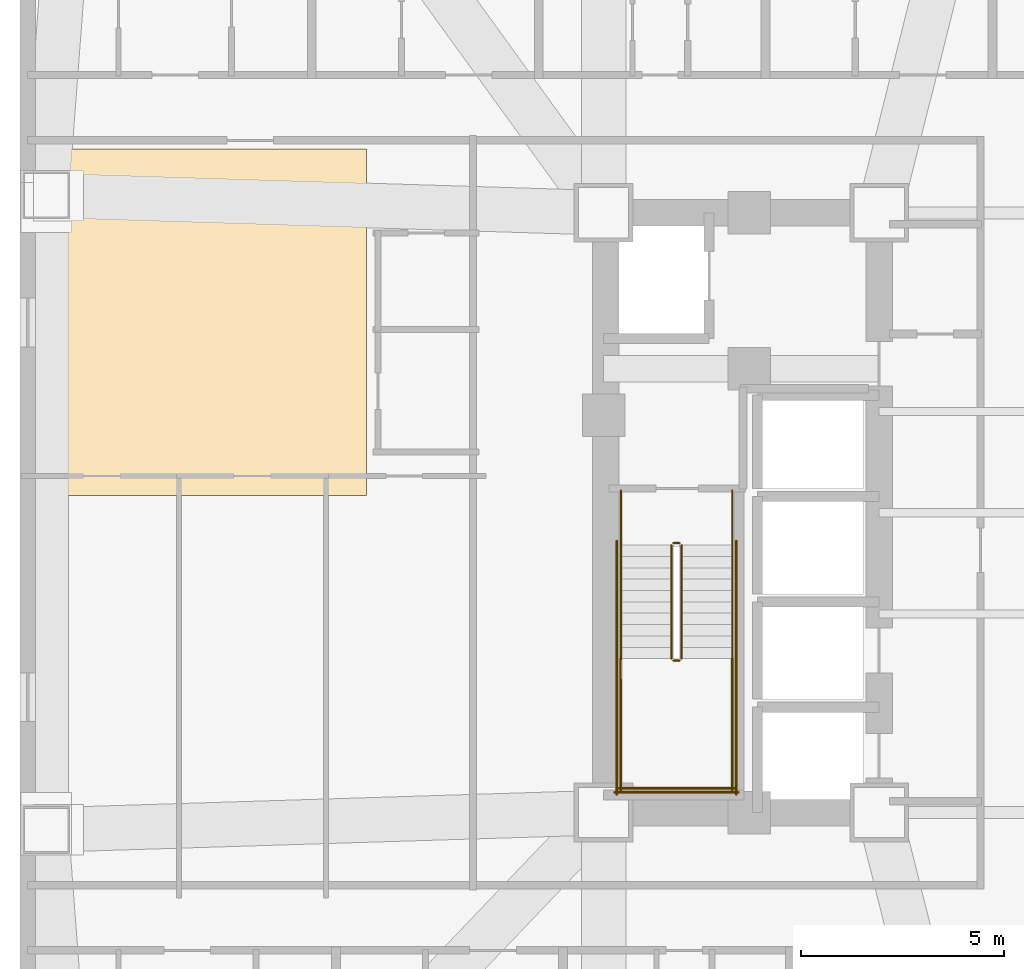
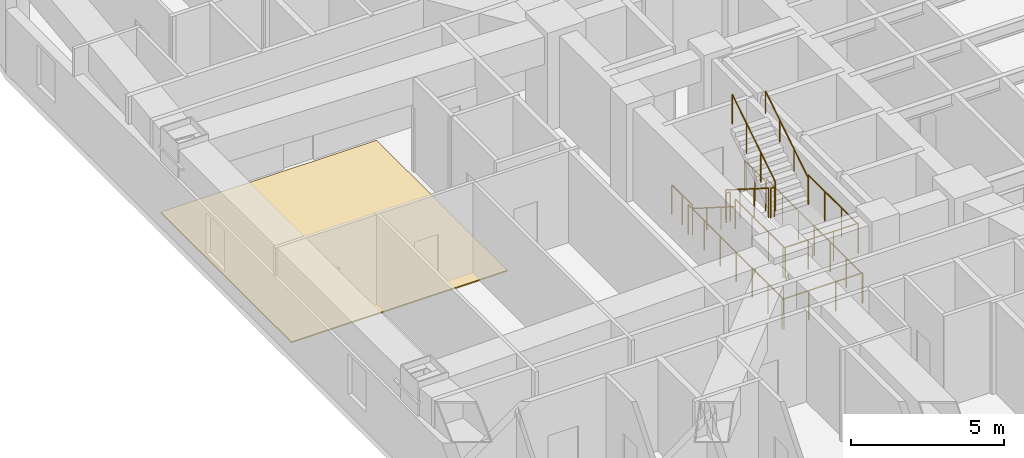
# One storey, part 11 of 12: 14 railings, 1 covering.
"""IFC4 building model written with IfcOpenShell, lengths in metres."""

from ifc_helpers import new_model, si_unit, direction, frame, origin, origin_2d, place, context, subcontext, project, spatial, polyline, circle, outline, extrude, material, layer, layer_set, type_object, element, save


model = new_model("IFC4")

# Units and contexts
model_context = context("Model", 3, precision=1e-05, world=origin(), true_north=direction((0.0, 1.0)))
body_context = subcontext(model_context, "Body", "Model", "MODEL_VIEW")
ifc_project = project(units=[si_unit("LENGTHUNIT", "METRE"), si_unit("AREAUNIT", "SQUARE_METRE"), si_unit("VOLUMEUNIT", "CUBIC_METRE"), si_unit("PLANEANGLEUNIT", "RADIAN"), si_unit("MASSUNIT", "GRAM", prefix="KILO")], contexts=[model_context])

# Site, building, storey
site_placement = place(None, origin())
site = spatial("IfcSite", under=ifc_project, at=site_placement, CompositionType="ELEMENT")
building_placement = place(site_placement, origin())
building = spatial("IfcBuilding", under=site, at=building_placement, Name="Voryun Gate Residences", CompositionType="ELEMENT")
storey_placement = place(building_placement, frame((0.0, 0.0, 29.89990234375)))
storey = spatial("IfcBuildingStorey", under=building, at=storey_placement, Name="L06", CompositionType="ELEMENT", Elevation=29.89990234375)

# Covering
ifc_material_1 = material(Name="Architectural oak flooring")
ifc_layer = layer(ifc_material_1, 0.044921875, Name="COV_FLOOR_ONDOL_OAK")
ifc_layer_set = layer_set([ifc_layer], Name="Architectural oak flooring")
covering_type = type_object("IfcCoveringType", Name="COV_FLOOR_ONDOL_OAK", PredefinedType="FLOORING", material=ifc_layer_set)
covering_placement = place(storey_placement, origin())
element("IfcCovering", 1, at=covering_placement, inside=storey, type_object=covering_type, Name="Ondol oak floor FLR-L06-01", PredefinedType="FLOORING", context=body_context, shape_type="SweptSolid", body=[
    extrude(outline(polyline([(-25.050048828125, 8.969970703125), (-25.050048828125, 0.419921875), (-33.197509765625, 0.419921875), (-33.197509765625, 8.969970703125), (-25.050048828125, 8.969970703125)])), origin(), (0.0, 0.0, 1.0), 0.045166015625),
])

# Railings
ifc_material_2 = material(Name="Painted steel", Category="steel")
railing_type_1 = type_object("IfcRailingType", Name="RAIL_STAIR_GUARD_1200", PredefinedType="GUARDRAIL", material=ifc_material_2)
railing_1_placement = place(storey_placement, frame((-17.52490234375, -0.800048828125, 0.177490234375)))
element("IfcRailing", 2, at=railing_1_placement, inside=storey, type_object=railing_type_1, Name="L06 ST-W1 stair guard 1", PredefinedType="GUARDRAIL", context=body_context, shape_type="SweptSolid", body=[
    extrude(circle(Radius=0.02392578125, at=origin_2d()), frame((0.0, 0.0, 1.17578125), z_axis=(0.0, -0.844908973607, 0.534910110503), x_axis=(1.0, 0.0, 0.0)), (0.0, 0.0, 1.0), 3.31396484375),
    extrude(circle(Radius=0.02099609375, at=origin_2d()), origin(), (0.0, 0.0, 1.0), 1.15185546875),
    extrude(circle(Radius=0.02099609375, at=origin_2d()), frame((0.0, -0.933349609375, 0.5908203125)), (0.0, 0.0, 1.0), 1.15185546875),
    extrude(circle(Radius=0.02099609375, at=origin_2d()), frame((0.0, -1.86669921875, 1.181884765625)), (0.0, 0.0, 1.0), 1.15185546875),
    extrude(circle(Radius=0.02099609375, at=origin_2d()), frame((0.0, -2.800048828125, 1.772705078125)), (0.0, 0.0, 1.0), 1.15185546875),
])
railing_2_placement = place(storey_placement, frame((-17.47509765625, -3.64990234375, 1.9501953125)))
element("IfcRailing", 3, at=railing_2_placement, inside=storey, type_object=railing_type_1, Name="L06 ST-W1 stair guard 2", PredefinedType="GUARDRAIL", context=body_context, shape_type="SweptSolid", body=[
    extrude(circle(Radius=0.02392578125, at=origin_2d()), frame((0.0, 0.0, 1.17578125), z_axis=(1.0, 0.0, 0.0), x_axis=(0.0, 1.0, 0.0)), (0.0, 0.0, 1.0), 0.150146484375),
    extrude(circle(Radius=0.02099609375, at=origin_2d()), origin(), (0.0, 0.0, 1.0), 1.15185546875),
    extrude(circle(Radius=0.02099609375, at=origin_2d()), frame((0.150146484375, 0.0, 0.0)), (0.0, 0.0, 1.0), 1.15185546875),
])
for number, where, name in (
    (4, (-18.77490234375, -3.60009765625, 1.9501953125), "L06 ST-W1 stair guard 3"),
    (5, (-16.02490234375, -3.60009765625, 1.9501953125), "L06 ST-W1 stair guard 4"),
):
    element("IfcRailing", number, at=place(storey_placement, frame(where)), inside=storey, type_object=railing_type_1, Name=name, PredefinedType="GUARDRAIL", context=body_context, shape_type="SweptSolid", body=[
        extrude(circle(Radius=0.02392578125, at=origin_2d()), frame((0.0, 0.0, 1.17578125), z_axis=(0.0, -1.0, 0.0), x_axis=(1.0, 0.0, 0.0)), (0.0, 0.0, 1.0), 3.25),
        extrude(circle(Radius=0.02099609375, at=origin_2d()), origin(), (0.0, 0.0, 1.0), 1.15185546875),
        extrude(circle(Radius=0.02099609375, at=origin_2d()), frame((0.0, -1.083251953125, 0.0)), (0.0, 0.0, 1.0), 1.15185546875),
        extrude(circle(Radius=0.02099609375, at=origin_2d()), frame((0.0, -2.166748046875, 0.0)), (0.0, 0.0, 1.0), 1.15185546875),
        extrude(circle(Radius=0.02099609375, at=origin_2d()), frame((0.0, -3.25, 0.0)), (0.0, 0.0, 1.0), 1.15185546875),
    ])
railing_3_placement = place(storey_placement, frame((-18.824951171875, -6.800048828125, 1.9501953125)))
element("IfcRailing", 6, at=railing_3_placement, inside=storey, type_object=railing_type_1, Name="L06 ST-W1 stair guard 5", PredefinedType="GUARDRAIL", context=body_context, shape_type="SweptSolid", body=[
    extrude(circle(Radius=0.02392578125, at=origin_2d()), frame((0.0, 0.0, 1.17578125), z_axis=(1.0, 0.0, 0.0), x_axis=(0.0, 1.0, 0.0)), (0.0, 0.0, 1.0), 2.849853515625),
    extrude(circle(Radius=0.02099609375, at=origin_2d()), origin(), (0.0, 0.0, 1.0), 1.15185546875),
    extrude(circle(Radius=0.02099609375, at=origin_2d()), frame((0.949951171875, 0.0, 0.0)), (0.0, 0.0, 1.0), 1.15185546875),
    extrude(circle(Radius=0.02099609375, at=origin_2d()), frame((1.89990234375, 0.0, 0.0)), (0.0, 0.0, 1.0), 1.15185546875),
    extrude(circle(Radius=0.02099609375, at=origin_2d()), frame((2.849853515625, 0.0, 0.0)), (0.0, 0.0, 1.0), 1.15185546875),
])
railing_4_placement = place(storey_placement, frame((-17.27490234375, -3.60009765625, 2.12744140625)))
element("IfcRailing", 7, at=railing_4_placement, inside=storey, type_object=railing_type_1, Name="L06 ST-W1 stair guard 6", PredefinedType="GUARDRAIL", context=body_context, shape_type="SweptSolid", body=[
    extrude(circle(Radius=0.02392578125, at=origin_2d()), frame((0.0, 0.0, 1.17578125), z_axis=(0.0, 0.844908973607, 0.534910110503), x_axis=(-1.0, 0.0, 0.0)), (0.0, 0.0, 1.0), 3.31396484375),
    extrude(circle(Radius=0.02099609375, at=origin_2d()), origin(), (0.0, 0.0, 1.0), 1.15185546875),
    extrude(circle(Radius=0.02099609375, at=origin_2d()), frame((0.0, 0.933349609375, 0.5908203125)), (0.0, 0.0, 1.0), 1.15185546875),
    extrude(circle(Radius=0.02099609375, at=origin_2d()), frame((0.0, 1.86669921875, 1.181884765625)), (0.0, 0.0, 1.0), 1.15185546875),
    extrude(circle(Radius=0.02099609375, at=origin_2d()), frame((0.0, 2.800048828125, 1.772705078125)), (0.0, 0.0, 1.0), 1.15185546875),
])
railing_5_placement = place(storey_placement, frame((-17.47509765625, -0.75, 0.0)))
element("IfcRailing", 8, at=railing_5_placement, inside=storey, type_object=railing_type_1, Name="L06 ST-W1 stair guard 7", PredefinedType="GUARDRAIL", context=body_context, shape_type="SweptSolid", body=[
    extrude(circle(Radius=0.02392578125, at=origin_2d()), frame((0.0, 0.0, 1.17578125), z_axis=(1.0, 0.0, 0.0), x_axis=(0.0, 1.0, 0.0)), (0.0, 0.0, 1.0), 0.150146484375),
    extrude(circle(Radius=0.02099609375, at=origin_2d()), origin(), (0.0, 0.0, 1.0), 1.15185546875),
    extrude(circle(Radius=0.02099609375, at=origin_2d()), frame((0.150146484375, 0.0, 0.0)), (0.0, 0.0, 1.0), 1.15185546875),
])
for number, where, name in (
    (9, (-18.77490234375, 0.550048828125, 0.0), "L06 ST-W1 stair guard 8"),
    (10, (-16.02490234375, 0.550048828125, 0.0), "L06 ST-W1 stair guard 9"),
):
    element("IfcRailing", number, at=place(storey_placement, frame(where)), inside=storey, type_object=railing_type_1, Name=name, PredefinedType="GUARDRAIL", context=body_context, shape_type="SweptSolid", body=[
        extrude(circle(Radius=0.02392578125, at=origin_2d()), frame((0.0, 0.0, 1.17578125), z_axis=(0.0, -1.0, 0.0), x_axis=(1.0, 0.0, 0.0)), (0.0, 0.0, 1.0), 1.35009765625),
        extrude(circle(Radius=0.02099609375, at=origin_2d()), origin(), (0.0, 0.0, 1.0), 1.15185546875),
        extrude(circle(Radius=0.02099609375, at=origin_2d()), frame((0.0, -0.675048828125, 0.0)), (0.0, 0.0, 1.0), 1.15185546875),
        extrude(circle(Radius=0.02099609375, at=origin_2d()), frame((0.0, -1.35009765625, 0.0)), (0.0, 0.0, 1.0), 1.15185546875),
    ])
for number, where, name in (
    (11, (-18.875, -0.699951171875, 0.0), "L06 ST-W1 stair guard 10"),
    (12, (-15.925048828125, -0.699951171875, 0.0), "L06 ST-W1 stair guard 11"),
):
    element("IfcRailing", number, at=place(storey_placement, frame(where)), inside=storey, type_object=railing_type_1, Name=name, PredefinedType="GUARDRAIL", context=body_context, shape_type="SweptSolid", body=[
        extrude(circle(Radius=0.02392578125, at=origin_2d()), frame((0.0, 0.0, 1.17578125), z_axis=(0.0, -1.0, 0.0), x_axis=(1.0, 0.0, 0.0)), (0.0, 0.0, 1.0), 6.25),
        extrude(circle(Radius=0.02099609375, at=origin_2d()), origin(), (0.0, 0.0, 1.0), 1.15185546875),
        extrude(circle(Radius=0.02099609375, at=origin_2d()), frame((0.0, -1.041748046875, 0.0)), (0.0, 0.0, 1.0), 1.15185546875),
        extrude(circle(Radius=0.02099609375, at=origin_2d()), frame((0.0, -2.083251953125, 0.0)), (0.0, 0.0, 1.0), 1.15185546875),
        extrude(circle(Radius=0.02099609375, at=origin_2d()), frame((0.0, -3.125, 0.0)), (0.0, 0.0, 1.0), 1.15185546875),
        extrude(circle(Radius=0.02099609375, at=origin_2d()), frame((0.0, -4.166748046875, 0.0)), (0.0, 0.0, 1.0), 1.15185546875),
        extrude(circle(Radius=0.02099609375, at=origin_2d()), frame((0.0, -5.208251953125, 0.0)), (0.0, 0.0, 1.0), 1.15185546875),
        extrude(circle(Radius=0.02099609375, at=origin_2d()), frame((0.0, -6.25, 0.0)), (0.0, 0.0, 1.0), 1.15185546875),
    ])
railing_6_placement = place(storey_placement, frame((-18.925048828125, -6.89990234375, 0.0)))
element("IfcRailing", 13, at=railing_6_placement, inside=storey, type_object=railing_type_1, Name="L06 ST-W1 stair guard 12", PredefinedType="GUARDRAIL", context=body_context, shape_type="SweptSolid", body=[
    extrude(circle(Radius=0.02392578125, at=origin_2d()), frame((0.0, 0.0, 1.17578125), z_axis=(1.0, 0.0, 0.0), x_axis=(0.0, 1.0, 0.0)), (0.0, 0.0, 1.0), 3.050048828125),
    extrude(circle(Radius=0.02099609375, at=origin_2d()), origin(), (0.0, 0.0, 1.0), 1.15185546875),
    extrude(circle(Radius=0.02099609375, at=origin_2d()), frame((1.0166015625, 0.0, 0.0)), (0.0, 0.0, 1.0), 1.15185546875),
    extrude(circle(Radius=0.02099609375, at=origin_2d()), frame((2.033447265625, 0.0, 0.0)), (0.0, 0.0, 1.0), 1.15185546875),
    extrude(circle(Radius=0.02099609375, at=origin_2d()), frame((3.050048828125, 0.0, 0.0)), (0.0, 0.0, 1.0), 1.15185546875),
])
ifc_material_3 = material(Name="Painted steel", Category="steel")
railing_type_2 = type_object("IfcRailingType", Name="RAIL_STAIR_HANDRAIL_900", PredefinedType="HANDRAIL", material=ifc_material_3)
railing_7_placement = place(storey_placement, frame((-18.77490234375, -0.800048828125, 0.177490234375)))
element("IfcRailing", 14, at=railing_7_placement, inside=storey, type_object=railing_type_2, Name="L06 ST-W1 stair handrail 1", PredefinedType="HANDRAIL", context=body_context, shape_type="SweptSolid", body=[
    extrude(circle(Radius=0.02392578125, at=origin_2d()), frame((0.0, 0.0, 0.8759765625), z_axis=(0.0, -0.844908973607, 0.534910110503), x_axis=(1.0, 0.0, 0.0)), (0.0, 0.0, 1.0), 3.31396484375),
    extrude(circle(Radius=0.02099609375, at=origin_2d()), origin(), (0.0, 0.0, 1.0), 0.851806640625),
    extrude(circle(Radius=0.02099609375, at=origin_2d()), frame((0.0, -0.933349609375, 0.5908203125)), (0.0, 0.0, 1.0), 0.851806640625),
    extrude(circle(Radius=0.02099609375, at=origin_2d()), frame((0.0, -1.86669921875, 1.181884765625)), (0.0, 0.0, 1.0), 0.851806640625),
    extrude(circle(Radius=0.02099609375, at=origin_2d()), frame((0.0, -2.800048828125, 1.772705078125)), (0.0, 0.0, 1.0), 0.851806640625),
])
railing_8_placement = place(storey_placement, frame((-16.02490234375, -3.60009765625, 2.12744140625)))
element("IfcRailing", 15, at=railing_8_placement, inside=storey, type_object=railing_type_2, Name="L06 ST-W1 stair handrail 2", PredefinedType="HANDRAIL", context=body_context, shape_type="SweptSolid", body=[
    extrude(circle(Radius=0.02392578125, at=origin_2d()), frame((0.0, 0.0, 0.8759765625), z_axis=(0.0, 0.844908973607, 0.534910110503), x_axis=(-1.0, 0.0, 0.0)), (0.0, 0.0, 1.0), 3.31396484375),
    extrude(circle(Radius=0.02099609375, at=origin_2d()), origin(), (0.0, 0.0, 1.0), 0.851806640625),
    extrude(circle(Radius=0.02099609375, at=origin_2d()), frame((0.0, 0.933349609375, 0.5908203125)), (0.0, 0.0, 1.0), 0.851806640625),
    extrude(circle(Radius=0.02099609375, at=origin_2d()), frame((0.0, 1.86669921875, 1.181884765625)), (0.0, 0.0, 1.0), 0.851806640625),
    extrude(circle(Radius=0.02099609375, at=origin_2d()), frame((0.0, 2.800048828125, 1.772705078125)), (0.0, 0.0, 1.0), 0.851806640625),
])

save(model, "model.ifc")
